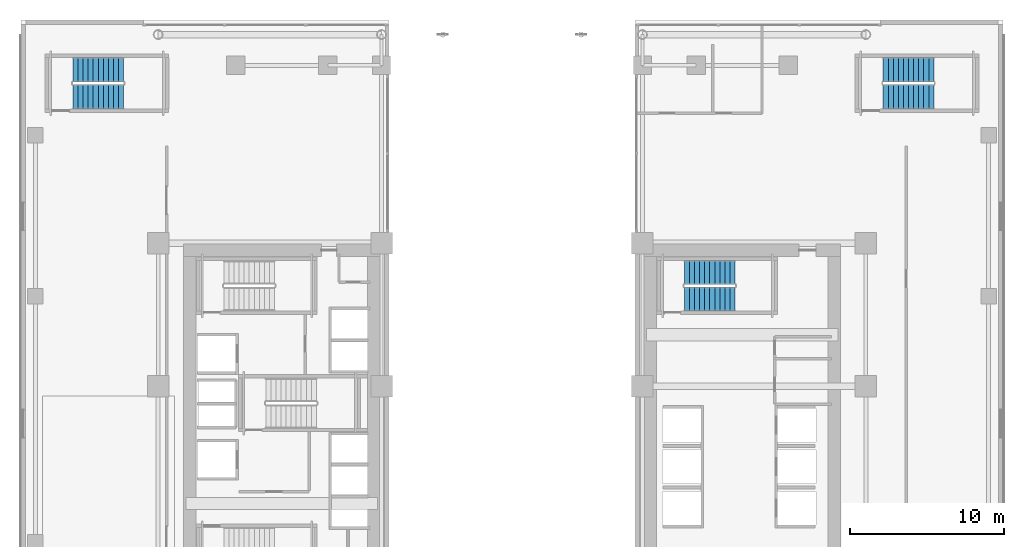
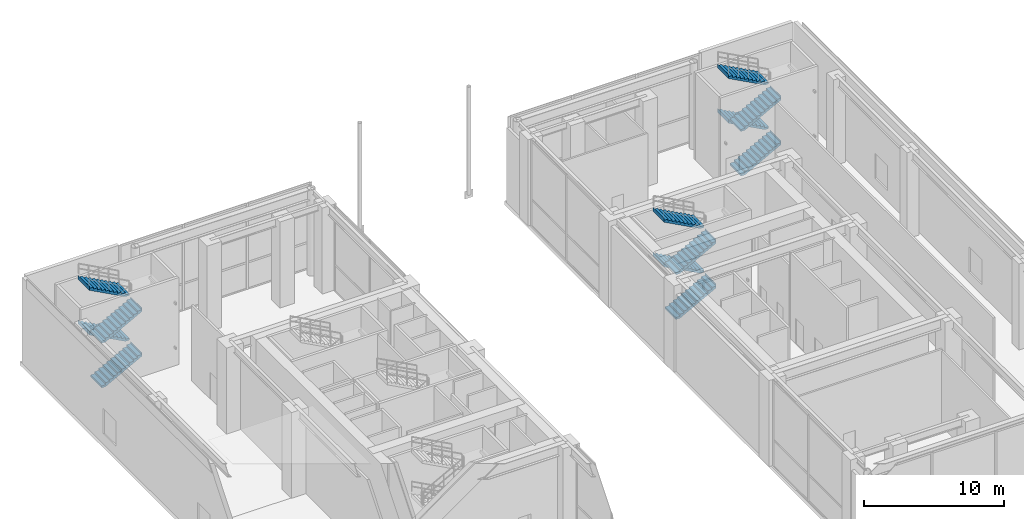
# One storey, part 23 of 29: 12 stair flights, 3 elements without a shape of their own.
"""IFC4 building model written with IfcOpenShell, lengths in metres."""

from ifc_helpers import new_model, si_unit, direction, frame, origin, place, context, subcontext, project, spatial, polyline, outline, extrude, source, transform, mapped, material, type_object, element, aggregate, save


model = new_model("IFC4")

# Units and contexts
model_context = context("Model", 3, precision=1e-05, world=origin(), true_north=direction((0.0, 1.0)))
body_context = subcontext(model_context, "Body", "Model", "MODEL_VIEW")
ifc_project = project(units=[si_unit("LENGTHUNIT", "METRE"), si_unit("AREAUNIT", "SQUARE_METRE"), si_unit("VOLUMEUNIT", "CUBIC_METRE"), si_unit("PLANEANGLEUNIT", "RADIAN"), si_unit("MASSUNIT", "GRAM", prefix="KILO")], contexts=[model_context])

# Site, building, storey
site_placement = place(None, origin())
site = spatial("IfcSite", under=ifc_project, at=site_placement, CompositionType="ELEMENT")
building_placement = place(site_placement, origin())
building = spatial("IfcBuilding", under=site, at=building_placement, Name="Ocotamira Hotel", CompositionType="ELEMENT")
storey_placement = place(building_placement, frame((0.0, 0.0, 11.39990234375)))
storey = spatial("IfcBuildingStorey", under=building, at=storey_placement, Name="L03", CompositionType="ELEMENT", Elevation=11.39990234375)

# Stair, stair flights
ifc_material = material(Name="Concrete C40/50", Category="concrete")
stair_type_1 = type_object("IfcStairType", Name="ST-CORE-1560", PredefinedType="HALF_TURN_STAIR", material=ifc_material)
stair_1_placement = place(storey_placement, origin())
stair_1 = element("IfcStair", 1, at=stair_1_placement, inside=storey, type_object=stair_type_1, Name="L03 Exit Stair ST-4", PredefinedType="HALF_TURN_STAIR")
stair_flight_type_1 = type_object("IfcStairFlightType", Name="STF-CORE-1560", PredefinedType="STRAIGHT", material=ifc_material)
shared_shape_1 = source(origin(), body_context, "Body", "SweptSolid", [
    extrude(outline(polyline([(-0.00390625, 0.0), (-0.00390625, 0.17724609375), (0.330078125, 0.17724609375), (0.330078125, 0.3544921875), (0.659912109375, 0.3544921875), (0.659912109375, 0.53173828125), (0.989990234375, 0.53173828125), (0.989990234375, 0.708984375), (1.320068359375, 0.708984375), (1.320068359375, 0.886474609375), (1.64990234375, 0.886474609375), (1.64990234375, 1.063720703125), (1.97998046875, 1.063720703125), (1.97998046875, 1.240966796875), (2.31005859375, 1.240966796875), (2.31005859375, 1.418212890625), (2.639892578125, 1.418212890625), (2.639892578125, 1.595458984375), (2.969970703125, 1.595458984375), (2.969970703125, 1.772705078125), (3.300048828125, 1.772705078125), (3.300048828125, 1.949951171875), (3.303955078125, 1.949951171875), (3.303955078125, 1.6025390625), (0.316650390625, 0.0), (-0.00390625, 0.0)])), frame((0.0, 0.780029296875, 0.0), z_axis=(0.0, -1.0, 0.0), x_axis=(1.0, 0.0, 0.0)), (0.0, 0.0, 1.0), 1.56005859375),
])
stair_flight_1_placement = place(storey_placement, frame((43.22998046875, 33.830078125, 0.0), z_axis=(0.0, 0.0, 1.0), x_axis=(1.0, 0.0, 0.0)))
stair_flight_1 = element("IfcStairFlight", 2, at=stair_flight_1_placement, type_object=stair_flight_type_1, Name="ST-4 flight 1", NumberOfRisers=11, NumberOfTreads=10, PredefinedType="STRAIGHT", RiserHeight=0.177272727, TreadLength=0.33, context=body_context, shape_type="MappedRepresentation", body=[
    mapped(shared_shape_1, transform((0.0, 0.0, 0.0), scale=1.0)),
])
stair_flight_2_placement = place(storey_placement, frame((46.530029296875, 35.550048828125, 1.9501953125), z_axis=(0.0, 0.0, 1.0), x_axis=(-1.0, 0.0, 0.0)))
stair_flight_2 = element("IfcStairFlight", 3, at=stair_flight_2_placement, type_object=stair_flight_type_1, Name="ST-4 flight 2", NumberOfRisers=11, NumberOfTreads=10, PredefinedType="STRAIGHT", RiserHeight=0.177272727, TreadLength=0.33, context=body_context, shape_type="MappedRepresentation", body=[
    mapped(shared_shape_1, transform((0.0, 0.0, 0.0), scale=1.0)),
])
stair_flight_3_placement = place(storey_placement, frame((43.22998046875, 33.830078125, 3.900146484375), z_axis=(0.0, 0.0, 1.0), x_axis=(1.0, 0.0, 0.0)))
stair_flight_3 = element("IfcStairFlight", 4, at=stair_flight_3_placement, type_object=stair_flight_type_1, Name="ST-4 flight 3", NumberOfRisers=11, NumberOfTreads=10, PredefinedType="STRAIGHT", RiserHeight=0.177272727, TreadLength=0.33, context=body_context, shape_type="MappedRepresentation", body=[
    mapped(shared_shape_1, transform((0.0, 0.0, 0.0), scale=1.0)),
])
stair_flight_4_placement = place(storey_placement, frame((46.530029296875, 35.550048828125, 5.85009765625), z_axis=(0.0, 0.0, 1.0), x_axis=(-1.0, 0.0, 0.0)))
stair_flight_4 = element("IfcStairFlight", 5, at=stair_flight_4_placement, type_object=stair_flight_type_1, Name="ST-4 flight 4", NumberOfRisers=11, NumberOfTreads=10, PredefinedType="STRAIGHT", RiserHeight=0.177272727, TreadLength=0.33, context=body_context, shape_type="MappedRepresentation", body=[
    mapped(shared_shape_1, transform((0.0, 0.0, 0.0), scale=1.0)),
])
aggregate(stair_1, [stair_flight_1, stair_flight_2, stair_flight_3, stair_flight_4])

stair_type_2 = type_object("IfcStairType", Name="ST-POD-1600", PredefinedType="HALF_TURN_STAIR", material=ifc_material)
stair_2_placement = place(storey_placement, origin())
stair_2 = element("IfcStair", 6, at=stair_2_placement, inside=storey, type_object=stair_type_2, Name="L03 Exit Stair ST-5", PredefinedType="HALF_TURN_STAIR")
stair_flight_type_2 = type_object("IfcStairFlightType", Name="STF-POD-1600", PredefinedType="STRAIGHT", material=ifc_material)
shared_shape_2 = source(origin(), body_context, "Body", "SweptSolid", [
    extrude(outline(polyline([(-0.00390625, 0.0), (-0.00390625, 0.17724609375), (0.330078125, 0.17724609375), (0.330078125, 0.3544921875), (0.659912109375, 0.3544921875), (0.659912109375, 0.53173828125), (0.989990234375, 0.53173828125), (0.989990234375, 0.708984375), (1.320068359375, 0.708984375), (1.320068359375, 0.886474609375), (1.64990234375, 0.886474609375), (1.64990234375, 1.063720703125), (1.97998046875, 1.063720703125), (1.97998046875, 1.240966796875), (2.31005859375, 1.240966796875), (2.31005859375, 1.418212890625), (2.639892578125, 1.418212890625), (2.639892578125, 1.595458984375), (2.969970703125, 1.595458984375), (2.969970703125, 1.772705078125), (3.300048828125, 1.772705078125), (3.300048828125, 1.949951171875), (3.303955078125, 1.949951171875), (3.303955078125, 1.6025390625), (0.316650390625, 0.0), (-0.00390625, 0.0)])), frame((0.0, 0.800048828125, 0.0), z_axis=(0.0, -1.0, 0.0), x_axis=(1.0, 0.0, 0.0)), (0.0, 0.0, 1.0), 1.60009765625),
])
stair_flight_5_placement = place(storey_placement, frame((3.39990234375, 47.0, 0.0), z_axis=(0.0, 0.0, 1.0), x_axis=(1.0, 0.0, 0.0)))
stair_flight_5 = element("IfcStairFlight", 7, at=stair_flight_5_placement, type_object=stair_flight_type_2, Name="ST-5 flight 1", NumberOfRisers=11, NumberOfTreads=10, PredefinedType="STRAIGHT", RiserHeight=0.177272727, TreadLength=0.33, context=body_context, shape_type="MappedRepresentation", body=[
    mapped(shared_shape_2, transform((0.0, 0.0, 0.0), scale=1.0)),
])
stair_flight_6_placement = place(storey_placement, frame((6.699951171875, 48.760009765625, 1.9501953125), z_axis=(0.0, 0.0, 1.0), x_axis=(-1.0, 0.0, 0.0)))
stair_flight_6 = element("IfcStairFlight", 8, at=stair_flight_6_placement, type_object=stair_flight_type_2, Name="ST-5 flight 2", NumberOfRisers=11, NumberOfTreads=10, PredefinedType="STRAIGHT", RiserHeight=0.177272727, TreadLength=0.33, context=body_context, shape_type="MappedRepresentation", body=[
    mapped(shared_shape_2, transform((0.0, 0.0, 0.0), scale=1.0)),
])
stair_flight_7_placement = place(storey_placement, frame((3.39990234375, 47.0, 3.900146484375), z_axis=(0.0, 0.0, 1.0), x_axis=(1.0, 0.0, 0.0)))
stair_flight_7 = element("IfcStairFlight", 9, at=stair_flight_7_placement, type_object=stair_flight_type_2, Name="ST-5 flight 3", NumberOfRisers=11, NumberOfTreads=10, PredefinedType="STRAIGHT", RiserHeight=0.177272727, TreadLength=0.33, context=body_context, shape_type="MappedRepresentation", body=[
    mapped(shared_shape_2, transform((0.0, 0.0, 0.0), scale=1.0)),
])
stair_flight_8_placement = place(storey_placement, frame((6.699951171875, 48.760009765625, 5.85009765625), z_axis=(0.0, 0.0, 1.0), x_axis=(-1.0, 0.0, 0.0)))
stair_flight_8 = element("IfcStairFlight", 10, at=stair_flight_8_placement, type_object=stair_flight_type_2, Name="ST-5 flight 4", NumberOfRisers=11, NumberOfTreads=10, PredefinedType="STRAIGHT", RiserHeight=0.177272727, TreadLength=0.33, context=body_context, shape_type="MappedRepresentation", body=[
    mapped(shared_shape_2, transform((0.0, 0.0, 0.0), scale=1.0)),
])
aggregate(stair_2, [stair_flight_5, stair_flight_6, stair_flight_7, stair_flight_8])

stair_3_placement = place(storey_placement, origin())
stair_3 = element("IfcStair", 11, at=stair_3_placement, inside=storey, type_object=stair_type_2, Name="L03 Exit Stair ST-6", PredefinedType="HALF_TURN_STAIR")
stair_flight_9_placement = place(storey_placement, frame((56.179931640625, 47.0, 0.0), z_axis=(0.0, 0.0, 1.0), x_axis=(1.0, 0.0, 0.0)))
stair_flight_9 = element("IfcStairFlight", 12, at=stair_flight_9_placement, type_object=stair_flight_type_2, Name="ST-6 flight 1", NumberOfRisers=11, NumberOfTreads=10, PredefinedType="STRAIGHT", RiserHeight=0.177272727, TreadLength=0.33, context=body_context, shape_type="MappedRepresentation", body=[
    mapped(shared_shape_2, transform((0.0, 0.0, 0.0), scale=1.0)),
])
stair_flight_10_placement = place(storey_placement, frame((59.47998046875, 48.760009765625, 1.9501953125), z_axis=(0.0, 0.0, 1.0), x_axis=(-1.0, 0.0, 0.0)))
stair_flight_10 = element("IfcStairFlight", 13, at=stair_flight_10_placement, type_object=stair_flight_type_2, Name="ST-6 flight 2", NumberOfRisers=11, NumberOfTreads=10, PredefinedType="STRAIGHT", RiserHeight=0.177272727, TreadLength=0.33, context=body_context, shape_type="MappedRepresentation", body=[
    mapped(shared_shape_2, transform((0.0, 0.0, 0.0), scale=1.0)),
])
stair_flight_11_placement = place(storey_placement, frame((56.179931640625, 47.0, 3.900146484375), z_axis=(0.0, 0.0, 1.0), x_axis=(1.0, 0.0, 0.0)))
stair_flight_11 = element("IfcStairFlight", 14, at=stair_flight_11_placement, type_object=stair_flight_type_2, Name="ST-6 flight 3", NumberOfRisers=11, NumberOfTreads=10, PredefinedType="STRAIGHT", RiserHeight=0.177272727, TreadLength=0.33, context=body_context, shape_type="MappedRepresentation", body=[
    mapped(shared_shape_2, transform((0.0, 0.0, 0.0), scale=1.0)),
])
stair_flight_12_placement = place(storey_placement, frame((59.47998046875, 48.760009765625, 5.85009765625), z_axis=(0.0, 0.0, 1.0), x_axis=(-1.0, 0.0, 0.0)))
stair_flight_12 = element("IfcStairFlight", 15, at=stair_flight_12_placement, type_object=stair_flight_type_2, Name="ST-6 flight 4", NumberOfRisers=11, NumberOfTreads=10, PredefinedType="STRAIGHT", RiserHeight=0.177272727, TreadLength=0.33, context=body_context, shape_type="MappedRepresentation", body=[
    mapped(shared_shape_2, transform((0.0, 0.0, 0.0), scale=1.0)),
])
aggregate(stair_3, [stair_flight_9, stair_flight_10, stair_flight_11, stair_flight_12])

save(model, "model.ifc")
